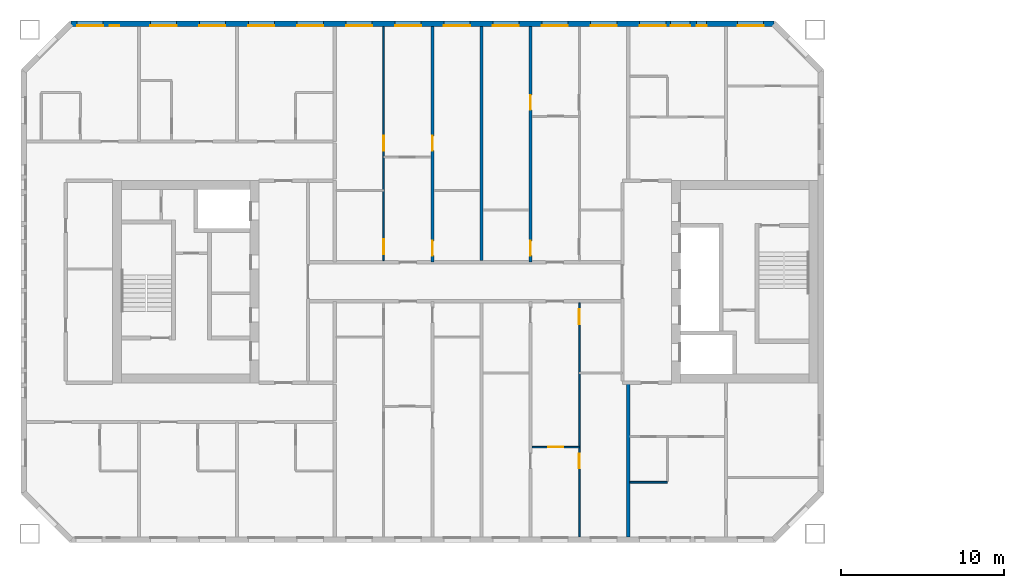
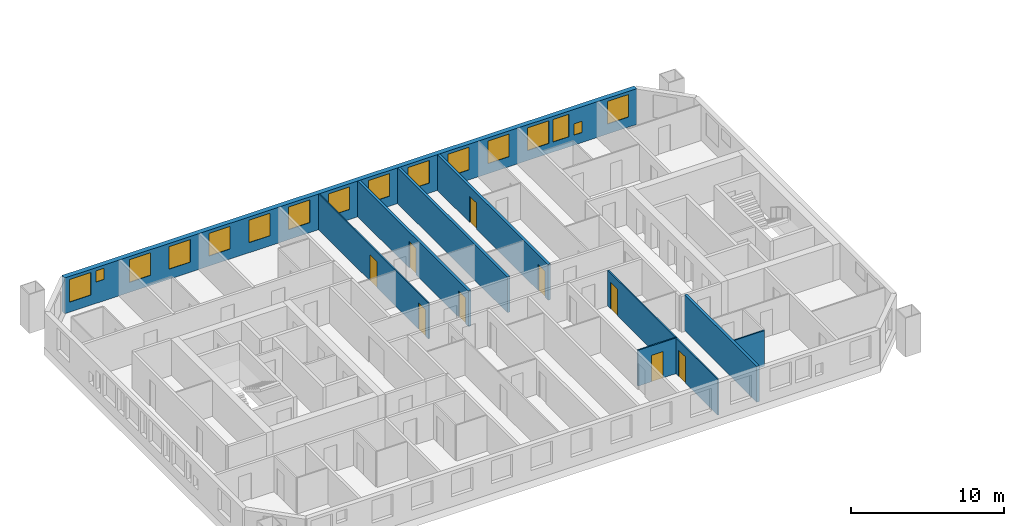
# One storey, part 6 of 17: 16 windows, 9 doors, 9 walls, 25 openings.
"""IFC4 building model written with IfcOpenShell, lengths in metres."""

import ifcopenshell
import ifcopenshell.guid

model = None  # the IFC model being written
_history = None  # IfcOwnerHistory: only IFC2X3 demands one
_inside = {}  # id of a spatial element -> (the spatial element, [elements in it])
_under = {}  # id of a project, library or spatial element -> (it, [spatial elements below it])
_declared = {}  # id of a project -> (the project, [libraries it declares])
_typed = {}  # id of a type object -> (the type object, [elements of that type])
_made_of = {}  # id of a material, layer set ... -> (it, [elements and type objects made of it])


def new_model(schema):
    """Start an empty IFC model of exactly this schema.

    Asked for "IFC4X3", IfcOpenShell would pick the latest addendum, in which some entities
    have other attributes; the version numbers below select the first issue.
    IFC2X3 requires an IfcOwnerHistory on every rooted entity: one is made here for all.
    """
    global model, _history
    if schema == "IFC4X3":
        model = ifcopenshell.file(schema_version=(4, 3, 0, 0))
    else:
        model = ifcopenshell.file(schema=schema)
    _inside.clear()
    _under.clear()
    _declared.clear()
    _typed.clear()
    _made_of.clear()
    _history = None
    if model.schema == "IFC2X3":
        org = make("IfcOrganization", Name="unknown")
        user = make(
            "IfcPersonAndOrganization",
            ThePerson=make("IfcPerson", FamilyName="unknown"),
            TheOrganization=org,
        )
        app = make(
            "IfcApplication",
            ApplicationDeveloper=org,
            Version="unknown",
            ApplicationFullName="unknown",
            ApplicationIdentifier="unknown",
        )
        _history = make(
            "IfcOwnerHistory",
            OwningUser=user,
            OwningApplication=app,
            ChangeAction="ADDED",
            CreationDate=0,
        )
    return model


def make(cls, **values):
    """One entity of the class cls with the attributes given. An attribute that is None is left unset."""
    return model.create_entity(
        cls, **{name: value for name, value in values.items() if value is not None}
    )


def rooted(cls, **values):
    """An entity with a GlobalId (a new one), such as an element, a storey or a relation."""
    return make(cls, GlobalId=ifcopenshell.guid.new(), OwnerHistory=_history, **values)


def si_unit(unit_type, name, prefix=None):
    """IfcSIUnit, for example si_unit("LENGTHUNIT", "METRE", prefix="MILLI")."""
    return make("IfcSIUnit", UnitType=unit_type, Prefix=prefix, Name=name)


def assignment(units):
    """IfcUnitAssignment: the units of a project."""
    return None if units is None else make("IfcUnitAssignment", Units=units)


def point(xyz):
    """IfcCartesianPoint."""
    return None if xyz is None else make("IfcCartesianPoint", Coordinates=xyz)


def direction(xyz):
    """IfcDirection."""
    return None if xyz is None else make("IfcDirection", DirectionRatios=xyz)


def frame(location, z_axis=None, x_axis=None):
    """IfcAxis2Placement3D, a coordinate frame: its origin and axes. An axis left out is left unset."""
    return make(
        "IfcAxis2Placement3D",
        Location=point(location),
        Axis=direction(z_axis),
        RefDirection=direction(x_axis),
    )


def frame_2d(location, x_axis=None):
    """IfcAxis2Placement2D, a coordinate frame in the plane: its origin and x axis."""
    return make(
        "IfcAxis2Placement2D", Location=point(location), RefDirection=direction(x_axis)
    )


def origin():
    """The frame at (0, 0, 0) with its axes left unset."""
    return frame((0.0, 0.0, 0.0))


def place(relative_to, where):
    """IfcLocalPlacement: puts the frame where relative to a parent placement (None: the world)."""
    return make(
        "IfcLocalPlacement", PlacementRelTo=relative_to, RelativePlacement=where
    )


def context(
    kind, dimensions, precision=None, world=None, true_north=None, identifier=None
):
    """IfcGeometricRepresentationContext, for example the 3D "Model" context."""
    return make(
        "IfcGeometricRepresentationContext",
        ContextIdentifier=identifier,
        ContextType=kind,
        CoordinateSpaceDimension=dimensions,
        Precision=precision,
        WorldCoordinateSystem=world,
        TrueNorth=true_north,
    )


def subcontext(parent, identifier, kind, view, scale=None):
    """IfcGeometricRepresentationSubContext, for example "Body" below "Model"."""
    return make(
        "IfcGeometricRepresentationSubContext",
        ContextIdentifier=identifier,
        ContextType=kind,
        ParentContext=parent,
        TargetScale=scale,
        TargetView=view,
    )


def project(units=None, contexts=None):
    """IfcProject with its units and contexts."""
    return rooted(
        "IfcProject",
        Name="project",
        RepresentationContexts=contexts,
        UnitsInContext=assignment(units),
    )


def spatial(cls, under=None, at=None, **own):
    """A site, building, storey or space (cls), placed at a placement, below another one or the project."""
    s = rooted(cls, ObjectPlacement=at, **own)
    if under is not None:
        _under.setdefault(under.id(), (under, []))[1].append(s)
    return s


def profile(cls, at=None, kind="AREA", **sizes):
    """A parametric profile (cls). Its sizes go by their IFC names, for example OverallWidth=200.0."""
    return make(cls, ProfileType=kind, Position=at, **sizes)


def rectangle(**sizes):
    """IfcRectangleProfileDef."""
    return profile("IfcRectangleProfileDef", **sizes)


def extrude(swept, where, along, depth):
    """IfcExtrudedAreaSolid: the profile swept, set in the frame where, extruded along a direction by depth."""
    return make(
        "IfcExtrudedAreaSolid",
        SweptArea=swept,
        Position=where,
        ExtrudedDirection=direction(along),
        Depth=depth,
    )


def shape(context_of_items, identifier, shape_type, items):
    """IfcShapeRepresentation: the items that make up one representation, for example the "Body"."""
    return make(
        "IfcShapeRepresentation",
        ContextOfItems=context_of_items,
        RepresentationIdentifier=identifier,
        RepresentationType=shape_type,
        Items=items,
    )


def material(Name=None, Category=None):
    """IfcMaterial."""
    return make("IfcMaterial", Name=Name, Category=Category)


def layer(
    of_material, thickness, ventilated=None, Name=None, Category=None, Priority=None
):
    """IfcMaterialLayer: one layer of a wall or slab, of a material (None: an air gap)."""
    return make(
        "IfcMaterialLayer",
        Material=of_material,
        LayerThickness=thickness,
        IsVentilated=ventilated,
        Name=Name,
        Category=Category,
        Priority=Priority,
    )


def layer_set(layers, Name=None):
    """IfcMaterialLayerSet."""
    return make("IfcMaterialLayerSet", MaterialLayers=layers, LayerSetName=Name)


def made_of(thing, what):
    """Note that an element or type object is made of a material, layer set ...; save() writes the relation."""
    if what is not None:
        _made_of.setdefault(what.id(), (what, []))[1].append(thing)
    return thing


def type_object(cls, material=None, **own):
    """A type object (cls), such as IfcWallType, which elements share."""
    return made_of(rooted(cls, **own), material)


def element(
    cls,
    number,
    at=None,
    inside=None,
    cuts=None,
    type_object=None,
    material=None,
    context=None,
    identifier="Body",
    shape_type=None,
    held_by="IfcProductDefinitionShape",
    body=None,
    shapes=None,
    **own,
):
    """One element of the class cls, such as IfcWall. Its Tag is "e" and its number.

    at: its placement. inside: the storey or other place that contains it. cuts: it is an
    opening in that element (IfcRelVoidsElement). A single representation is given by context,
    identifier, shape_type and body (its items); several are given by shapes. held_by: the class
    of the entity that holds the representations. save() writes the other relations.
    """
    e = rooted(cls, Tag="e%d" % number, ObjectPlacement=at, **own)
    if body is not None:
        shapes = [shape(context, identifier, shape_type, body)]
    if shapes is not None:
        e.Representation = make(held_by, Representations=shapes)
    if inside is not None:
        _inside.setdefault(inside.id(), (inside, []))[1].append(e)
    if cuts is not None:
        rooted(
            "IfcRelVoidsElement", RelatingBuildingElement=cuts, RelatedOpeningElement=e
        )
    if type_object is not None:
        _typed.setdefault(type_object.id(), (type_object, []))[1].append(e)
    return made_of(e, material)


def fill(opening, filler):
    """IfcRelFillsElement: the door or window that sits in an opening."""
    return rooted(
        "IfcRelFillsElement",
        RelatingOpeningElement=opening,
        RelatedBuildingElement=filler,
    )


def aggregate(whole, parts):
    """IfcRelAggregates: a whole, such as a stair, and the parts it consists of."""
    return rooted("IfcRelAggregates", RelatingObject=whole, RelatedObjects=parts)


def save(model, path):
    """Write the relations noted so far, then the file.

    IfcRelAggregates (storeys below a building ...), IfcRelContainedInSpatialStructure (elements
    in a storey), IfcRelDefinesByType, IfcRelAssociatesMaterial and IfcRelDeclares: one each for
    every whole, place, type object, material and project.
    """
    for whole, parts in _under.values():
        aggregate(whole, parts)
    for where, things in _inside.values():
        rooted(
            "IfcRelContainedInSpatialStructure",
            RelatedElements=things,
            RelatingStructure=where,
        )
    for kind, things in _typed.values():
        rooted("IfcRelDefinesByType", RelatedObjects=things, RelatingType=kind)
    for what, things in _made_of.values():
        rooted("IfcRelAssociatesMaterial", RelatedObjects=things, RelatingMaterial=what)
    for by, libraries in _declared.values():
        rooted("IfcRelDeclares", RelatingContext=by, RelatedDefinitions=libraries)
    model.write(path)


model = new_model("IFC4")

# Units and contexts
model_context = context("Model", 3, precision=1e-05, world=origin(), true_north=direction((0.0, 1.0)))
body_context = subcontext(model_context, "Body", "Model", "MODEL_VIEW")
ifc_project = project(units=[si_unit("LENGTHUNIT", "METRE"), si_unit("AREAUNIT", "SQUARE_METRE"), si_unit("VOLUMEUNIT", "CUBIC_METRE"), si_unit("PLANEANGLEUNIT", "RADIAN"), si_unit("MASSUNIT", "GRAM", prefix="KILO")], contexts=[model_context])

# Site, building, storey
site_placement = place(None, origin())
site = spatial("IfcSite", under=ifc_project, at=site_placement, CompositionType="ELEMENT")
building_placement = place(site_placement, origin())
building = spatial("IfcBuilding", under=site, at=building_placement, Name="Tuart Gate Housing", CompositionType="ELEMENT")
storey_placement = place(building_placement, frame((0.0, 0.0, 123.699951171875)))
storey = spatial("IfcBuildingStorey", under=building, at=storey_placement, Name="L34", CompositionType="ELEMENT", Elevation=123.699951171875)

# Wall, openings, windows
ifc_material_1 = material(Name="Brick", Category="masonry")
ifc_layer_1 = layer(ifc_material_1, 0.360107421875)
ifc_layer_set_1 = layer_set([ifc_layer_1], Name="Brick pier and spandrel wall 360")
wall_type_1 = type_object("IfcWallType", Name="Brick pier and spandrel wall 360", PredefinedType="STANDARD", material=ifc_layer_set_1)
wall_1_placement = place(storey_placement, frame((72.92529296875, 85.820068359375, 0.0), z_axis=(0.0, 0.0, 1.0), x_axis=(-1.0, 0.0, 0.0)))
wall_1 = element("IfcWall", 1, at=wall_1_placement, inside=storey, type_object=wall_type_1, Name="External wall A-N L34", PredefinedType="STANDARD", context=body_context, shape_type="SweptSolid", body=[
    extrude(rectangle(XDim=43.100830078125, YDim=0.360107421875, at=frame_2d((21.55029296875, 0.0))), origin(), (0.0, 0.0, 1.0), 2.85009765625),
])
opening_1_placement = place(wall_1_placement, frame((0.62548828125, 0.0, 0.800048828125)))
opening_1 = element("IfcOpeningElement", 2, at=opening_1_placement, cuts=wall_1, Name="Opening W1", PredefinedType="OPENING", context=body_context, shape_type="SweptSolid", body=[
    extrude(rectangle(XDim=1.60009765625, YDim=1.800048828125, at=frame_2d((0.800048828125, 0.89990234375))), frame((0.0, 0.18994140625, 0.0), z_axis=(0.0, -1.0, 0.0), x_axis=(1.0, 0.0, 0.0)), (0.0, 0.0, 1.0), 0.380126953125),
])
opening_2_placement = place(wall_1_placement, frame((4.12548828125, 0.0, 0.800048828125)))
opening_2 = element("IfcOpeningElement", 3, at=opening_2_placement, cuts=wall_1, Name="Opening W1W", PredefinedType="OPENING", context=body_context, shape_type="SweptSolid", body=[
    extrude(rectangle(XDim=0.60009765625, YDim=0.89990234375, at=frame_2d((0.300048828125, 0.449951171875))), frame((0.0, 0.18994140625, 0.0), z_axis=(0.0, -1.0, 0.0), x_axis=(1.0, 0.0, 0.0)), (0.0, 0.0, 1.0), 0.380126953125),
])
opening_3_placement = place(wall_1_placement, frame((6.62548828125, 0.0, 0.800048828125)))
opening_3 = element("IfcOpeningElement", 4, at=opening_3_placement, cuts=wall_1, Name="Opening W1", PredefinedType="OPENING", context=body_context, shape_type="SweptSolid", body=[
    extrude(rectangle(XDim=1.60009765625, YDim=1.800048828125, at=frame_2d((0.800048828125, 0.89990234375))), frame((0.0, 0.18994140625, 0.0), z_axis=(0.0, -1.0, 0.0), x_axis=(1.0, 0.0, 0.0)), (0.0, 0.0, 1.0), 0.380126953125),
])
opening_4_placement = place(wall_1_placement, frame((9.62548828125, 0.0, 0.800048828125)))
opening_4 = element("IfcOpeningElement", 5, at=opening_4_placement, cuts=wall_1, Name="Opening W1", PredefinedType="OPENING", context=body_context, shape_type="SweptSolid", body=[
    extrude(rectangle(XDim=1.60009765625, YDim=1.800048828125, at=frame_2d((0.800048828125, 0.89990234375))), frame((0.0, 0.18994140625, 0.0), z_axis=(0.0, -1.0, 0.0), x_axis=(1.0, 0.0, 0.0)), (0.0, 0.0, 1.0), 0.380126953125),
])
opening_5_placement = place(wall_1_placement, frame((12.62548828125, 0.0, 0.800048828125)))
opening_5 = element("IfcOpeningElement", 6, at=opening_5_placement, cuts=wall_1, Name="Opening W1", PredefinedType="OPENING", context=body_context, shape_type="SweptSolid", body=[
    extrude(rectangle(XDim=1.60009765625, YDim=1.800048828125, at=frame_2d((0.800048828125, 0.89990234375))), frame((0.0, 0.18994140625, 0.0), z_axis=(0.0, -1.0, 0.0), x_axis=(1.0, 0.0, 0.0)), (0.0, 0.0, 1.0), 0.380126953125),
])
opening_6_placement = place(wall_1_placement, frame((15.62548828125, 0.0, 0.800048828125)))
opening_6 = element("IfcOpeningElement", 7, at=opening_6_placement, cuts=wall_1, Name="Opening W1", PredefinedType="OPENING", context=body_context, shape_type="SweptSolid", body=[
    extrude(rectangle(XDim=1.60009765625, YDim=1.800048828125, at=frame_2d((0.800048828125, 0.89990234375))), frame((0.0, 0.18994140625, 0.0), z_axis=(0.0, -1.0, 0.0), x_axis=(1.0, 0.0, 0.0)), (0.0, 0.0, 1.0), 0.380126953125),
])
opening_7_placement = place(wall_1_placement, frame((18.62548828125, 0.0, 0.800048828125)))
opening_7 = element("IfcOpeningElement", 8, at=opening_7_placement, cuts=wall_1, Name="Opening W1", PredefinedType="OPENING", context=body_context, shape_type="SweptSolid", body=[
    extrude(rectangle(XDim=1.60009765625, YDim=1.800048828125, at=frame_2d((0.800048828125, 0.89990234375))), frame((0.0, 0.18994140625, 0.0), z_axis=(0.0, -1.0, 0.0), x_axis=(1.0, 0.0, 0.0)), (0.0, 0.0, 1.0), 0.380126953125),
])
opening_8_placement = place(wall_1_placement, frame((21.62548828125, 0.0, 0.800048828125)))
opening_8 = element("IfcOpeningElement", 9, at=opening_8_placement, cuts=wall_1, Name="Opening W1", PredefinedType="OPENING", context=body_context, shape_type="SweptSolid", body=[
    extrude(rectangle(XDim=1.60009765625, YDim=1.800048828125, at=frame_2d((0.800048828125, 0.89990234375))), frame((0.0, 0.18994140625, 0.0), z_axis=(0.0, -1.0, 0.0), x_axis=(1.0, 0.0, 0.0)), (0.0, 0.0, 1.0), 0.380126953125),
])
opening_9_placement = place(wall_1_placement, frame((24.62548828125, 0.0, 0.800048828125)))
opening_9 = element("IfcOpeningElement", 10, at=opening_9_placement, cuts=wall_1, Name="Opening W1", PredefinedType="OPENING", context=body_context, shape_type="SweptSolid", body=[
    extrude(rectangle(XDim=1.60009765625, YDim=1.800048828125, at=frame_2d((0.800048828125, 0.89990234375))), frame((0.0, 0.18994140625, 0.0), z_axis=(0.0, -1.0, 0.0), x_axis=(1.0, 0.0, 0.0)), (0.0, 0.0, 1.0), 0.380126953125),
])
opening_10_placement = place(wall_1_placement, frame((27.62548828125, 0.0, 0.800048828125)))
opening_10 = element("IfcOpeningElement", 11, at=opening_10_placement, cuts=wall_1, Name="Opening W1", PredefinedType="OPENING", context=body_context, shape_type="SweptSolid", body=[
    extrude(rectangle(XDim=1.60009765625, YDim=1.800048828125, at=frame_2d((0.800048828125, 0.89990234375))), frame((0.0, 0.18994140625, 0.0), z_axis=(0.0, -1.0, 0.0), x_axis=(1.0, 0.0, 0.0)), (0.0, 0.0, 1.0), 0.380126953125),
])
opening_11_placement = place(wall_1_placement, frame((30.62548828125, 0.0, 0.800048828125)))
opening_11 = element("IfcOpeningElement", 12, at=opening_11_placement, cuts=wall_1, Name="Opening W1", PredefinedType="OPENING", context=body_context, shape_type="SweptSolid", body=[
    extrude(rectangle(XDim=1.60009765625, YDim=1.800048828125, at=frame_2d((0.800048828125, 0.89990234375))), frame((0.0, 0.18994140625, 0.0), z_axis=(0.0, -1.0, 0.0), x_axis=(1.0, 0.0, 0.0)), (0.0, 0.0, 1.0), 0.380126953125),
])
opening_12_placement = place(wall_1_placement, frame((33.62548828125, 0.0, 0.800048828125)))
opening_12 = element("IfcOpeningElement", 13, at=opening_12_placement, cuts=wall_1, Name="Opening W1", PredefinedType="OPENING", context=body_context, shape_type="SweptSolid", body=[
    extrude(rectangle(XDim=1.60009765625, YDim=1.800048828125, at=frame_2d((0.800048828125, 0.89990234375))), frame((0.0, 0.18994140625, 0.0), z_axis=(0.0, -1.0, 0.0), x_axis=(1.0, 0.0, 0.0)), (0.0, 0.0, 1.0), 0.380126953125),
])
opening_13_placement = place(wall_1_placement, frame((36.62548828125, 0.0, 0.800048828125)))
opening_13 = element("IfcOpeningElement", 14, at=opening_13_placement, cuts=wall_1, Name="Opening W1", PredefinedType="OPENING", context=body_context, shape_type="SweptSolid", body=[
    extrude(rectangle(XDim=1.60009765625, YDim=1.800048828125, at=frame_2d((0.800048828125, 0.89990234375))), frame((0.0, 0.18994140625, 0.0), z_axis=(0.0, -1.0, 0.0), x_axis=(1.0, 0.0, 0.0)), (0.0, 0.0, 1.0), 0.380126953125),
])
opening_14_placement = place(wall_1_placement, frame((40.12548828125, 0.0, 1.699951171875)))
opening_14 = element("IfcOpeningElement", 15, at=opening_14_placement, cuts=wall_1, Name="Opening W1W", PredefinedType="OPENING", context=body_context, shape_type="SweptSolid", body=[
    extrude(rectangle(XDim=0.60009765625, YDim=0.89990234375, at=frame_2d((0.300048828125, 0.449951171875))), frame((0.0, 0.18994140625, 0.0), z_axis=(0.0, -1.0, 0.0), x_axis=(1.0, 0.0, 0.0)), (0.0, 0.0, 1.0), 0.380126953125),
])
opening_15_placement = place(wall_1_placement, frame((5.12548828125, 0.0, 0.800048828125)))
opening_15 = element("IfcOpeningElement", 16, at=opening_15_placement, cuts=wall_1, Name="Opening W1B", PredefinedType="OPENING", context=body_context, shape_type="SweptSolid", body=[
    extrude(rectangle(XDim=1.199951171875, YDim=1.800048828125, at=frame_2d((0.60009765625, 0.89990234375))), frame((0.0, 0.18994140625, 0.0), z_axis=(0.0, -1.0, 0.0), x_axis=(1.0, 0.0, 0.0)), (0.0, 0.0, 1.0), 0.380126953125),
])
opening_16_placement = place(wall_1_placement, frame((41.12548828125, 0.0, 0.800048828125)))
opening_16 = element("IfcOpeningElement", 17, at=opening_16_placement, cuts=wall_1, Name="Opening W1", PredefinedType="OPENING", context=body_context, shape_type="SweptSolid", body=[
    extrude(rectangle(XDim=1.60009765625, YDim=1.800048828125, at=frame_2d((0.800048828125, 0.89990234375))), frame((0.0, 0.18994140625, 0.0), z_axis=(0.0, -1.0, 0.0), x_axis=(1.0, 0.0, 0.0)), (0.0, 0.0, 1.0), 0.380126953125),
])
ifc_material_2 = material(Name="Aluminium frame with clear glass", Category="aluminium")
window_type_1 = type_object("IfcWindowType", Name="Punched window 1200 x 1800", PartitioningType="SINGLE_PANEL", PredefinedType="WINDOW", material=ifc_material_2)
window_1_placement = place(opening_15_placement, origin())
window_1 = element("IfcWindow", 18, at=window_1_placement, inside=storey, type_object=window_type_1, Name="Window W1B", OverallHeight=1.800048828125, OverallWidth=1.199951171875, PartitioningType="SINGLE_PANEL", PredefinedType="WINDOW", context=body_context, shape_type="SweptSolid", body=[
    extrude(rectangle(XDim=1.199951171875, YDim=1.800048828125, at=frame_2d((0.60009765625, 0.89990234375))), frame((0.0, 0.150146484375, 0.0), z_axis=(0.0, -1.0, 0.0), x_axis=(1.0, 0.0, 0.0)), (0.0, 0.0, 1.0), 0.06005859375),
])
fill(opening_15, window_1)
ifc_material_3 = material(Name="Aluminium frame with clear glass", Category="aluminium")
window_type_2 = type_object("IfcWindowType", Name="Punched window 1600 x 1800", PartitioningType="SINGLE_PANEL", PredefinedType="WINDOW", material=ifc_material_3)
window_2_placement = place(opening_1_placement, origin())
window_2 = element("IfcWindow", 19, at=window_2_placement, inside=storey, type_object=window_type_2, Name="Window W1", OverallHeight=1.800048828125, OverallWidth=1.60009765625, PartitioningType="SINGLE_PANEL", PredefinedType="WINDOW", context=body_context, shape_type="SweptSolid", body=[
    extrude(rectangle(XDim=1.60009765625, YDim=1.800048828125, at=frame_2d((0.800048828125, 0.89990234375))), frame((0.0, 0.150146484375, 0.0), z_axis=(0.0, -1.0, 0.0), x_axis=(1.0, 0.0, 0.0)), (0.0, 0.0, 1.0), 0.06005859375),
])
fill(opening_1, window_2)
window_3_placement = place(opening_3_placement, origin())
window_3 = element("IfcWindow", 20, at=window_3_placement, inside=storey, type_object=window_type_2, Name="Window W1", OverallHeight=1.800048828125, OverallWidth=1.60009765625, PartitioningType="SINGLE_PANEL", PredefinedType="WINDOW", context=body_context, shape_type="SweptSolid", body=[
    extrude(rectangle(XDim=1.60009765625, YDim=1.800048828125, at=frame_2d((0.800048828125, 0.89990234375))), frame((0.0, 0.150146484375, 0.0), z_axis=(0.0, -1.0, 0.0), x_axis=(1.0, 0.0, 0.0)), (0.0, 0.0, 1.0), 0.06005859375),
])
fill(opening_3, window_3)
window_4_placement = place(opening_4_placement, origin())
window_4 = element("IfcWindow", 21, at=window_4_placement, inside=storey, type_object=window_type_2, Name="Window W1", OverallHeight=1.800048828125, OverallWidth=1.60009765625, PartitioningType="SINGLE_PANEL", PredefinedType="WINDOW", context=body_context, shape_type="SweptSolid", body=[
    extrude(rectangle(XDim=1.60009765625, YDim=1.800048828125, at=frame_2d((0.800048828125, 0.89990234375))), frame((0.0, 0.150146484375, 0.0), z_axis=(0.0, -1.0, 0.0), x_axis=(1.0, 0.0, 0.0)), (0.0, 0.0, 1.0), 0.06005859375),
])
fill(opening_4, window_4)
window_5_placement = place(opening_5_placement, origin())
window_5 = element("IfcWindow", 22, at=window_5_placement, inside=storey, type_object=window_type_2, Name="Window W1", OverallHeight=1.800048828125, OverallWidth=1.60009765625, PartitioningType="SINGLE_PANEL", PredefinedType="WINDOW", context=body_context, shape_type="SweptSolid", body=[
    extrude(rectangle(XDim=1.60009765625, YDim=1.800048828125, at=frame_2d((0.800048828125, 0.89990234375))), frame((0.0, 0.150146484375, 0.0), z_axis=(0.0, -1.0, 0.0), x_axis=(1.0, 0.0, 0.0)), (0.0, 0.0, 1.0), 0.06005859375),
])
fill(opening_5, window_5)
window_6_placement = place(opening_6_placement, origin())
window_6 = element("IfcWindow", 23, at=window_6_placement, inside=storey, type_object=window_type_2, Name="Window W1", OverallHeight=1.800048828125, OverallWidth=1.60009765625, PartitioningType="SINGLE_PANEL", PredefinedType="WINDOW", context=body_context, shape_type="SweptSolid", body=[
    extrude(rectangle(XDim=1.60009765625, YDim=1.800048828125, at=frame_2d((0.800048828125, 0.89990234375))), frame((0.0, 0.150146484375, 0.0), z_axis=(0.0, -1.0, 0.0), x_axis=(1.0, 0.0, 0.0)), (0.0, 0.0, 1.0), 0.06005859375),
])
fill(opening_6, window_6)
window_7_placement = place(opening_7_placement, origin())
window_7 = element("IfcWindow", 24, at=window_7_placement, inside=storey, type_object=window_type_2, Name="Window W1", OverallHeight=1.800048828125, OverallWidth=1.60009765625, PartitioningType="SINGLE_PANEL", PredefinedType="WINDOW", context=body_context, shape_type="SweptSolid", body=[
    extrude(rectangle(XDim=1.60009765625, YDim=1.800048828125, at=frame_2d((0.800048828125, 0.89990234375))), frame((0.0, 0.150146484375, 0.0), z_axis=(0.0, -1.0, 0.0), x_axis=(1.0, 0.0, 0.0)), (0.0, 0.0, 1.0), 0.06005859375),
])
fill(opening_7, window_7)
window_8_placement = place(opening_8_placement, origin())
window_8 = element("IfcWindow", 25, at=window_8_placement, inside=storey, type_object=window_type_2, Name="Window W1", OverallHeight=1.800048828125, OverallWidth=1.60009765625, PartitioningType="SINGLE_PANEL", PredefinedType="WINDOW", context=body_context, shape_type="SweptSolid", body=[
    extrude(rectangle(XDim=1.60009765625, YDim=1.800048828125, at=frame_2d((0.800048828125, 0.89990234375))), frame((0.0, 0.150146484375, 0.0), z_axis=(0.0, -1.0, 0.0), x_axis=(1.0, 0.0, 0.0)), (0.0, 0.0, 1.0), 0.06005859375),
])
fill(opening_8, window_8)
window_9_placement = place(opening_9_placement, origin())
window_9 = element("IfcWindow", 26, at=window_9_placement, inside=storey, type_object=window_type_2, Name="Window W1", OverallHeight=1.800048828125, OverallWidth=1.60009765625, PartitioningType="SINGLE_PANEL", PredefinedType="WINDOW", context=body_context, shape_type="SweptSolid", body=[
    extrude(rectangle(XDim=1.60009765625, YDim=1.800048828125, at=frame_2d((0.800048828125, 0.89990234375))), frame((0.0, 0.150146484375, 0.0), z_axis=(0.0, -1.0, 0.0), x_axis=(1.0, 0.0, 0.0)), (0.0, 0.0, 1.0), 0.06005859375),
])
fill(opening_9, window_9)
window_10_placement = place(opening_10_placement, origin())
window_10 = element("IfcWindow", 27, at=window_10_placement, inside=storey, type_object=window_type_2, Name="Window W1", OverallHeight=1.800048828125, OverallWidth=1.60009765625, PartitioningType="SINGLE_PANEL", PredefinedType="WINDOW", context=body_context, shape_type="SweptSolid", body=[
    extrude(rectangle(XDim=1.60009765625, YDim=1.800048828125, at=frame_2d((0.800048828125, 0.89990234375))), frame((0.0, 0.150146484375, 0.0), z_axis=(0.0, -1.0, 0.0), x_axis=(1.0, 0.0, 0.0)), (0.0, 0.0, 1.0), 0.06005859375),
])
fill(opening_10, window_10)
window_11_placement = place(opening_11_placement, origin())
window_11 = element("IfcWindow", 28, at=window_11_placement, inside=storey, type_object=window_type_2, Name="Window W1", OverallHeight=1.800048828125, OverallWidth=1.60009765625, PartitioningType="SINGLE_PANEL", PredefinedType="WINDOW", context=body_context, shape_type="SweptSolid", body=[
    extrude(rectangle(XDim=1.60009765625, YDim=1.800048828125, at=frame_2d((0.800048828125, 0.89990234375))), frame((0.0, 0.150146484375, 0.0), z_axis=(0.0, -1.0, 0.0), x_axis=(1.0, 0.0, 0.0)), (0.0, 0.0, 1.0), 0.06005859375),
])
fill(opening_11, window_11)
window_12_placement = place(opening_12_placement, origin())
window_12 = element("IfcWindow", 29, at=window_12_placement, inside=storey, type_object=window_type_2, Name="Window W1", OverallHeight=1.800048828125, OverallWidth=1.60009765625, PartitioningType="SINGLE_PANEL", PredefinedType="WINDOW", context=body_context, shape_type="SweptSolid", body=[
    extrude(rectangle(XDim=1.60009765625, YDim=1.800048828125, at=frame_2d((0.800048828125, 0.89990234375))), frame((0.0, 0.150146484375, 0.0), z_axis=(0.0, -1.0, 0.0), x_axis=(1.0, 0.0, 0.0)), (0.0, 0.0, 1.0), 0.06005859375),
])
fill(opening_12, window_12)
window_13_placement = place(opening_13_placement, origin())
window_13 = element("IfcWindow", 30, at=window_13_placement, inside=storey, type_object=window_type_2, Name="Window W1", OverallHeight=1.800048828125, OverallWidth=1.60009765625, PartitioningType="SINGLE_PANEL", PredefinedType="WINDOW", context=body_context, shape_type="SweptSolid", body=[
    extrude(rectangle(XDim=1.60009765625, YDim=1.800048828125, at=frame_2d((0.800048828125, 0.89990234375))), frame((0.0, 0.150146484375, 0.0), z_axis=(0.0, -1.0, 0.0), x_axis=(1.0, 0.0, 0.0)), (0.0, 0.0, 1.0), 0.06005859375),
])
fill(opening_13, window_13)
window_14_placement = place(opening_16_placement, origin())
window_14 = element("IfcWindow", 31, at=window_14_placement, inside=storey, type_object=window_type_2, Name="Window W1", OverallHeight=1.800048828125, OverallWidth=1.60009765625, PartitioningType="SINGLE_PANEL", PredefinedType="WINDOW", context=body_context, shape_type="SweptSolid", body=[
    extrude(rectangle(XDim=1.60009765625, YDim=1.800048828125, at=frame_2d((0.800048828125, 0.89990234375))), frame((0.0, 0.150146484375, 0.0), z_axis=(0.0, -1.0, 0.0), x_axis=(1.0, 0.0, 0.0)), (0.0, 0.0, 1.0), 0.06005859375),
])
fill(opening_16, window_14)
ifc_material_4 = material(Name="Aluminium frame with clear glass", Category="aluminium")
window_type_3 = type_object("IfcWindowType", Name="Punched window 600 x 900", PartitioningType="SINGLE_PANEL", PredefinedType="WINDOW", material=ifc_material_4)
window_15_placement = place(opening_2_placement, origin())
window_15 = element("IfcWindow", 32, at=window_15_placement, inside=storey, type_object=window_type_3, Name="Window W1W", OverallHeight=0.89990234375, OverallWidth=0.60009765625, PartitioningType="SINGLE_PANEL", PredefinedType="WINDOW", context=body_context, shape_type="SweptSolid", body=[
    extrude(rectangle(XDim=0.60009765625, YDim=0.89990234375, at=frame_2d((0.300048828125, 0.449951171875))), frame((0.0, 0.150146484375, 0.0), z_axis=(0.0, -1.0, 0.0), x_axis=(1.0, 0.0, 0.0)), (0.0, 0.0, 1.0), 0.06005859375),
])
fill(opening_2, window_15)
window_16_placement = place(opening_14_placement, origin())
window_16 = element("IfcWindow", 33, at=window_16_placement, inside=storey, type_object=window_type_3, Name="Window W1W", OverallHeight=0.89990234375, OverallWidth=0.60009765625, PartitioningType="SINGLE_PANEL", PredefinedType="WINDOW", context=body_context, shape_type="SweptSolid", body=[
    extrude(rectangle(XDim=0.60009765625, YDim=0.89990234375, at=frame_2d((0.300048828125, 0.449951171875))), frame((0.0, 0.150146484375, 0.0), z_axis=(0.0, -1.0, 0.0), x_axis=(1.0, 0.0, 0.0)), (0.0, 0.0, 1.0), 0.06005859375),
])
fill(opening_14, window_16)

# Wall
ifc_material_5 = material(Name="Gypsum board on steel studs", Category="steel")
ifc_layer_2 = layer(ifc_material_5, 0.10009765625)
ifc_layer_set_2 = layer_set([ifc_layer_2], Name="Partition 100")
wall_type_2 = type_object("IfcWallType", Name="Partition 100", PredefinedType="PARTITIONING", material=ifc_layer_set_2)
wall_2_placement = place(storey_placement, frame((64.10009765625, 57.699951171875, 0.0), z_axis=(0.0, 0.0, 1.0), x_axis=(1.0, 0.0, 0.0)))
element("IfcWall", 34, at=wall_2_placement, inside=storey, type_object=wall_type_2, Name="Partition 100", PredefinedType="PARTITIONING", context=body_context, shape_type="SweptSolid", body=[
    extrude(rectangle(XDim=2.2998046875, YDim=0.10009765625, at=frame_2d((1.14990234375, 0.0))), origin(), (0.0, 0.0, 1.0), 2.85009765625),
])

# Wall, opening, door
wall_3_placement = place(storey_placement, frame((58.10009765625, 59.860107421875, 0.0), z_axis=(0.0, 0.0, 1.0), x_axis=(1.0, 0.0, 0.0)))
wall_3 = element("IfcWall", 35, at=wall_3_placement, inside=storey, type_object=wall_type_2, Name="Partition 100", PredefinedType="PARTITIONING", context=body_context, shape_type="SweptSolid", body=[
    extrude(rectangle(XDim=2.89990234375, YDim=0.10009765625, at=frame_2d((1.449951171875, 0.0))), origin(), (0.0, 0.0, 1.0), 2.85009765625),
])
opening_17_placement = place(wall_3_placement, frame((1.0, 0.0, 0.0)))
opening_17 = element("IfcOpeningElement", 36, at=opening_17_placement, cuts=wall_3, Name="Opening D1348", PredefinedType="OPENING", context=body_context, shape_type="SweptSolid", body=[
    extrude(rectangle(XDim=0.89990234375, YDim=2.10009765625, at=frame_2d((0.449951171875, 1.050048828125))), frame((0.0, 0.06005859375, 0.0), z_axis=(0.0, -1.0, 0.0), x_axis=(1.0, 0.0, 0.0)), (0.0, 0.0, 1.0), 0.1201171875),
])
ifc_material_6 = material(Name="Timber door leaf in steel frame", Category="steel")
door_type_1 = type_object("IfcDoorType", Name="Internal door 900 RH", OperationType="SINGLE_SWING_RIGHT", PredefinedType="DOOR", material=ifc_material_6)
door_1_placement = place(opening_17_placement, origin())
door_1 = element("IfcDoor", 37, at=door_1_placement, inside=storey, type_object=door_type_1, Name="Internal door", OperationType="SINGLE_SWING_RIGHT", OverallHeight=2.10009765625, OverallWidth=0.89990234375, PredefinedType="DOOR", context=body_context, shape_type="SweptSolid", body=[
    extrude(rectangle(XDim=0.89990234375, YDim=2.10009765625, at=frame_2d((0.449951171875, 1.050048828125))), frame((0.0, 0.02490234375, 0.0), z_axis=(0.0, -1.0, 0.0), x_axis=(1.0, 0.0, 0.0)), (0.0, 0.0, 1.0), 0.050048828125),
])
fill(opening_17, door_1)

# Wall, openings, doors
wall_4_placement = place(storey_placement, frame((49.0, 71.300048828125, 0.0), z_axis=(0.0, 0.0, 1.0), x_axis=(0.0, 1.0, 0.0)))
wall_4 = element("IfcWall", 38, at=wall_4_placement, inside=storey, type_object=wall_type_2, Name="Partition 100", PredefinedType="PARTITIONING", context=body_context, shape_type="SweptSolid", body=[
    extrude(rectangle(XDim=14.33984375, YDim=0.10009765625, at=frame_2d((7.169921875, 0.0))), origin(), (0.0, 0.0, 1.0), 2.85009765625),
])
opening_18_placement = place(wall_4_placement, frame((6.739990234375, 0.0, 0.0)))
opening_18 = element("IfcOpeningElement", 39, at=opening_18_placement, cuts=wall_4, Name="Opening D1302", PredefinedType="OPENING", context=body_context, shape_type="SweptSolid", body=[
    extrude(rectangle(XDim=0.89990234375, YDim=2.10009765625, at=frame_2d((0.449951171875, 1.050048828125))), frame((0.0, 0.06005859375, 0.0), z_axis=(0.0, -1.0, 0.0), x_axis=(1.0, 0.0, 0.0)), (0.0, 0.0, 1.0), 0.1201171875),
])
opening_19_placement = place(wall_4_placement, frame((0.39990234375, 0.0, 0.0)))
opening_19 = element("IfcOpeningElement", 40, at=opening_19_placement, cuts=wall_4, Name="Opening D1301", PredefinedType="OPENING", context=body_context, shape_type="SweptSolid", body=[
    extrude(rectangle(XDim=0.89990234375, YDim=2.10009765625, at=frame_2d((0.449951171875, 1.050048828125))), frame((0.0, 0.06005859375, 0.0), z_axis=(0.0, -1.0, 0.0), x_axis=(1.0, 0.0, 0.0)), (0.0, 0.0, 1.0), 0.1201171875),
])
ifc_material_7 = material(Name="Timber door leaf in steel frame", Category="steel")
door_type_2 = type_object("IfcDoorType", Name="Bathroom door 900", OperationType="SINGLE_SWING_LEFT", PredefinedType="DOOR", material=ifc_material_7)
door_2_placement = place(opening_19_placement, origin())
door_2 = element("IfcDoor", 41, at=door_2_placement, inside=storey, type_object=door_type_2, Name="Bathroom door", OperationType="SINGLE_SWING_LEFT", OverallHeight=2.10009765625, OverallWidth=0.89990234375, PredefinedType="DOOR", context=body_context, shape_type="SweptSolid", body=[
    extrude(rectangle(XDim=0.89990234375, YDim=2.10009765625, at=frame_2d((0.449951171875, 1.050048828125))), frame((0.0, 0.02490234375, 0.0), z_axis=(0.0, -1.0, 0.0), x_axis=(1.0, 0.0, 0.0)), (0.0, 0.0, 1.0), 0.050048828125),
])
fill(opening_19, door_2)
ifc_material_8 = material(Name="Timber door leaf in steel frame", Category="steel")
door_type_3 = type_object("IfcDoorType", Name="Internal door 900", OperationType="SINGLE_SWING_LEFT", PredefinedType="DOOR", material=ifc_material_8)
door_3_placement = place(opening_18_placement, origin())
door_3 = element("IfcDoor", 42, at=door_3_placement, inside=storey, type_object=door_type_3, Name="Internal door", OperationType="SINGLE_SWING_LEFT", OverallHeight=2.10009765625, OverallWidth=0.89990234375, PredefinedType="DOOR", context=body_context, shape_type="SweptSolid", body=[
    extrude(rectangle(XDim=0.89990234375, YDim=2.10009765625, at=frame_2d((0.449951171875, 1.050048828125))), frame((0.0, 0.02490234375, 0.0), z_axis=(0.0, -1.0, 0.0), x_axis=(1.0, 0.0, 0.0)), (0.0, 0.0, 1.0), 0.050048828125),
])
fill(opening_18, door_3)

wall_5_placement = place(storey_placement, frame((61.0, 54.360107421875, 0.0), z_axis=(0.0, 0.0, 1.0), x_axis=(0.0, 1.0, 0.0)))
wall_5 = element("IfcWall", 43, at=wall_5_placement, inside=storey, type_object=wall_type_2, Name="Partition 100", PredefinedType="PARTITIONING", context=body_context, shape_type="SweptSolid", body=[
    extrude(rectangle(XDim=14.33984375, YDim=0.10009765625, at=frame_2d((7.169921875, 0.0))), origin(), (0.0, 0.0, 1.0), 2.85009765625),
])
opening_20_placement = place(wall_5_placement, frame((4.199951171875, 0.0, 0.0)))
opening_20 = element("IfcOpeningElement", 44, at=opening_20_placement, cuts=wall_5, Name="Opening D1339", PredefinedType="OPENING", context=body_context, shape_type="SweptSolid", body=[
    extrude(rectangle(XDim=0.89990234375, YDim=2.10009765625, at=frame_2d((0.449951171875, 1.050048828125))), frame((0.0, 0.06005859375, 0.0), z_axis=(0.0, -1.0, 0.0), x_axis=(1.0, 0.0, 0.0)), (0.0, 0.0, 1.0), 0.1201171875),
])
opening_21_placement = place(wall_5_placement, frame((13.0400390625, 0.0, 0.0)))
opening_21 = element("IfcOpeningElement", 45, at=opening_21_placement, cuts=wall_5, Name="Opening D1338", PredefinedType="OPENING", context=body_context, shape_type="SweptSolid", body=[
    extrude(rectangle(XDim=0.89990234375, YDim=2.10009765625, at=frame_2d((0.449951171875, 1.050048828125))), frame((0.0, 0.06005859375, 0.0), z_axis=(0.0, -1.0, 0.0), x_axis=(1.0, 0.0, 0.0)), (0.0, 0.0, 1.0), 0.1201171875),
])
door_4_placement = place(opening_21_placement, frame((0.89990234375, 0.0, 0.0), z_axis=(0.0, 0.0, 1.0), x_axis=(-1.0, 0.0, 0.0)))
door_4 = element("IfcDoor", 46, at=door_4_placement, inside=storey, type_object=door_type_2, Name="Bathroom door", OperationType="SINGLE_SWING_LEFT", OverallHeight=2.10009765625, OverallWidth=0.89990234375, PredefinedType="DOOR", context=body_context, shape_type="SweptSolid", body=[
    extrude(rectangle(XDim=0.89990234375, YDim=2.10009765625, at=frame_2d((0.449951171875, 1.050048828125))), frame((0.0, 0.025146484375, 0.0), z_axis=(0.0, -1.0, 0.0), x_axis=(1.0, 0.0, 0.0)), (0.0, 0.0, 1.0), 0.050048828125),
])
fill(opening_21, door_4)
door_5_placement = place(opening_20_placement, frame((0.89990234375, 0.0, 0.0), z_axis=(0.0, 0.0, 1.0), x_axis=(-1.0, 0.0, 0.0)))
door_5 = element("IfcDoor", 47, at=door_5_placement, inside=storey, type_object=door_type_1, Name="Internal door", OperationType="SINGLE_SWING_RIGHT", OverallHeight=2.10009765625, OverallWidth=0.89990234375, PredefinedType="DOOR", context=body_context, shape_type="SweptSolid", body=[
    extrude(rectangle(XDim=0.89990234375, YDim=2.10009765625, at=frame_2d((0.449951171875, 1.050048828125))), frame((0.0, 0.025146484375, 0.0), z_axis=(0.0, -1.0, 0.0), x_axis=(1.0, 0.0, 0.0)), (0.0, 0.0, 1.0), 0.050048828125),
])
fill(opening_20, door_5)

ifc_material_9 = material(Name="Concrete C40", Category="concrete")
ifc_layer_3 = layer(ifc_material_9, 0.199951171875)
ifc_layer_set_3 = layer_set([ifc_layer_3], Name="Party wall concrete C40 200")
wall_type_3 = type_object("IfcWallType", Name="Party wall concrete C40 200", PredefinedType="SOLIDWALL", material=ifc_layer_set_3)
wall_6_placement = place(storey_placement, frame((52.0, 71.199951171875, 0.0), z_axis=(0.0, 0.0, 1.0), x_axis=(0.0, 1.0, 0.0)))
wall_6 = element("IfcWall", 48, at=wall_6_placement, inside=storey, type_object=wall_type_3, Name="Party wall concrete C40 200", PredefinedType="SOLIDWALL", context=body_context, shape_type="SweptSolid", body=[
    extrude(rectangle(XDim=14.43994140625, YDim=0.199951171875, at=frame_2d((7.219970703125, 0.0))), origin(), (0.0, 0.0, 1.0), 2.85009765625),
])
opening_22_placement = place(wall_6_placement, frame((6.840087890625, 0.0, 0.0)))
opening_22 = element("IfcOpeningElement", 49, at=opening_22_placement, cuts=wall_6, Name="Opening D1306", PredefinedType="OPENING", context=body_context, shape_type="SweptSolid", body=[
    extrude(rectangle(XDim=0.89990234375, YDim=2.10009765625, at=frame_2d((0.449951171875, 1.050048828125))), frame((0.0, 0.10986328125, 0.0), z_axis=(0.0, -1.0, 0.0), x_axis=(1.0, 0.0, 0.0)), (0.0, 0.0, 1.0), 0.219970703125),
])
opening_23_placement = place(wall_6_placement, frame((0.39990234375, 0.0, 0.0)))
opening_23 = element("IfcOpeningElement", 50, at=opening_23_placement, cuts=wall_6, Name="Opening D1305", PredefinedType="OPENING", context=body_context, shape_type="SweptSolid", body=[
    extrude(rectangle(XDim=0.89990234375, YDim=2.10009765625, at=frame_2d((0.449951171875, 1.050048828125))), frame((0.0, 0.10986328125, 0.0), z_axis=(0.0, -1.0, 0.0), x_axis=(1.0, 0.0, 0.0)), (0.0, 0.0, 1.0), 0.219970703125),
])
ifc_material_10 = material(Name="Timber door leaf in steel frame", Category="steel")
door_type_4 = type_object("IfcDoorType", Name="Bathroom door 900 RH", OperationType="SINGLE_SWING_RIGHT", PredefinedType="DOOR", material=ifc_material_10)
door_6_placement = place(opening_23_placement, frame((0.89990234375, 0.0, 0.0), z_axis=(0.0, 0.0, 1.0), x_axis=(-1.0, 0.0, 0.0)))
door_6 = element("IfcDoor", 51, at=door_6_placement, inside=storey, type_object=door_type_4, Name="Bathroom door", OperationType="SINGLE_SWING_RIGHT", OverallHeight=2.10009765625, OverallWidth=0.89990234375, PredefinedType="DOOR", context=body_context, shape_type="SweptSolid", body=[
    extrude(rectangle(XDim=0.89990234375, YDim=2.10009765625, at=frame_2d((0.449951171875, 1.050048828125))), frame((0.0, 0.025146484375, 0.0), z_axis=(0.0, -1.0, 0.0), x_axis=(1.0, 0.0, 0.0)), (0.0, 0.0, 1.0), 0.050048828125),
])
fill(opening_23, door_6)
door_7_placement = place(opening_22_placement, frame((0.89990234375, 0.0, 0.0), z_axis=(0.0, 0.0, 1.0), x_axis=(-1.0, 0.0, 0.0)))
door_7 = element("IfcDoor", 52, at=door_7_placement, inside=storey, type_object=door_type_1, Name="Internal door", OperationType="SINGLE_SWING_RIGHT", OverallHeight=2.10009765625, OverallWidth=0.89990234375, PredefinedType="DOOR", context=body_context, shape_type="SweptSolid", body=[
    extrude(rectangle(XDim=0.89990234375, YDim=2.10009765625, at=frame_2d((0.449951171875, 1.050048828125))), frame((0.0, 0.025146484375, 0.0), z_axis=(0.0, -1.0, 0.0), x_axis=(1.0, 0.0, 0.0)), (0.0, 0.0, 1.0), 0.050048828125),
])
fill(opening_22, door_7)

wall_7_placement = place(storey_placement, frame((58.0, 71.199951171875, 0.0), z_axis=(0.0, 0.0, 1.0), x_axis=(0.0, 1.0, 0.0)))
wall_7 = element("IfcWall", 53, at=wall_7_placement, inside=storey, type_object=wall_type_3, Name="Party wall concrete C40 200", PredefinedType="SOLIDWALL", context=body_context, shape_type="SweptSolid", body=[
    extrude(rectangle(XDim=14.43994140625, YDim=0.199951171875, at=frame_2d((7.219970703125, 0.0))), origin(), (0.0, 0.0, 1.0), 2.85009765625),
])
opening_24_placement = place(wall_7_placement, frame((9.340087890625, 0.0, 0.0)))
opening_24 = element("IfcOpeningElement", 54, at=opening_24_placement, cuts=wall_7, Name="Opening D1308", PredefinedType="OPENING", context=body_context, shape_type="SweptSolid", body=[
    extrude(rectangle(XDim=0.89990234375, YDim=2.10009765625, at=frame_2d((0.449951171875, 1.050048828125))), frame((0.0, 0.10986328125, 0.0), z_axis=(0.0, -1.0, 0.0), x_axis=(1.0, 0.0, 0.0)), (0.0, 0.0, 1.0), 0.219970703125),
])
opening_25_placement = place(wall_7_placement, frame((0.39990234375, 0.0, 0.0)))
opening_25 = element("IfcOpeningElement", 55, at=opening_25_placement, cuts=wall_7, Name="Opening D1307", PredefinedType="OPENING", context=body_context, shape_type="SweptSolid", body=[
    extrude(rectangle(XDim=0.89990234375, YDim=2.10009765625, at=frame_2d((0.449951171875, 1.050048828125))), frame((0.0, 0.10986328125, 0.0), z_axis=(0.0, -1.0, 0.0), x_axis=(1.0, 0.0, 0.0)), (0.0, 0.0, 1.0), 0.219970703125),
])
door_8_placement = place(opening_25_placement, origin())
door_8 = element("IfcDoor", 56, at=door_8_placement, inside=storey, type_object=door_type_2, Name="Bathroom door", OperationType="SINGLE_SWING_LEFT", OverallHeight=2.10009765625, OverallWidth=0.89990234375, PredefinedType="DOOR", context=body_context, shape_type="SweptSolid", body=[
    extrude(rectangle(XDim=0.89990234375, YDim=2.10009765625, at=frame_2d((0.449951171875, 1.050048828125))), frame((0.0, 0.02490234375, 0.0), z_axis=(0.0, -1.0, 0.0), x_axis=(1.0, 0.0, 0.0)), (0.0, 0.0, 1.0), 0.050048828125),
])
fill(opening_25, door_8)
door_9_placement = place(opening_24_placement, origin())
door_9 = element("IfcDoor", 57, at=door_9_placement, inside=storey, type_object=door_type_1, Name="Internal door", OperationType="SINGLE_SWING_RIGHT", OverallHeight=2.10009765625, OverallWidth=0.89990234375, PredefinedType="DOOR", context=body_context, shape_type="SweptSolid", body=[
    extrude(rectangle(XDim=0.89990234375, YDim=2.10009765625, at=frame_2d((0.449951171875, 1.050048828125))), frame((0.0, 0.02490234375, 0.0), z_axis=(0.0, -1.0, 0.0), x_axis=(1.0, 0.0, 0.0)), (0.0, 0.0, 1.0), 0.050048828125),
])
fill(opening_24, door_9)

# Walls
wall_8_placement = place(storey_placement, frame((64.0, 54.360107421875, 0.0), z_axis=(0.0, 0.0, 1.0), x_axis=(0.0, 1.0, 0.0)))
element("IfcWall", 58, at=wall_8_placement, inside=storey, type_object=wall_type_3, Name="Party wall concrete C40 200", PredefinedType="SOLIDWALL", context=body_context, shape_type="SweptSolid", body=[
    extrude(rectangle(XDim=9.43994140625, YDim=0.199951171875, at=frame_2d((4.719970703125, 0.0))), origin(), (0.0, 0.0, 1.0), 2.85009765625),
])
ifc_material_11 = material(Name="Concrete masonry 15 MPa", Category="masonry")
ifc_layer_4 = layer(ifc_material_11, 0.199951171875)
ifc_layer_set_4 = layer_set([ifc_layer_4], Name="Party wall masonry 200")
wall_type_4 = type_object("IfcWallType", Name="Party wall masonry 200", PredefinedType="PARTITIONING", material=ifc_layer_set_4)
wall_9_placement = place(storey_placement, frame((55.0, 71.300048828125, 0.0), z_axis=(0.0, 0.0, 1.0), x_axis=(0.0, 1.0, 0.0)))
element("IfcWall", 59, at=wall_9_placement, inside=storey, type_object=wall_type_4, Name="Party wall masonry 200", PredefinedType="PARTITIONING", context=body_context, shape_type="SweptSolid", body=[
    extrude(rectangle(XDim=14.33984375, YDim=0.199951171875, at=frame_2d((7.169921875, 0.0))), origin(), (0.0, 0.0, 1.0), 2.85009765625),
])

save(model, "model.ifc")
